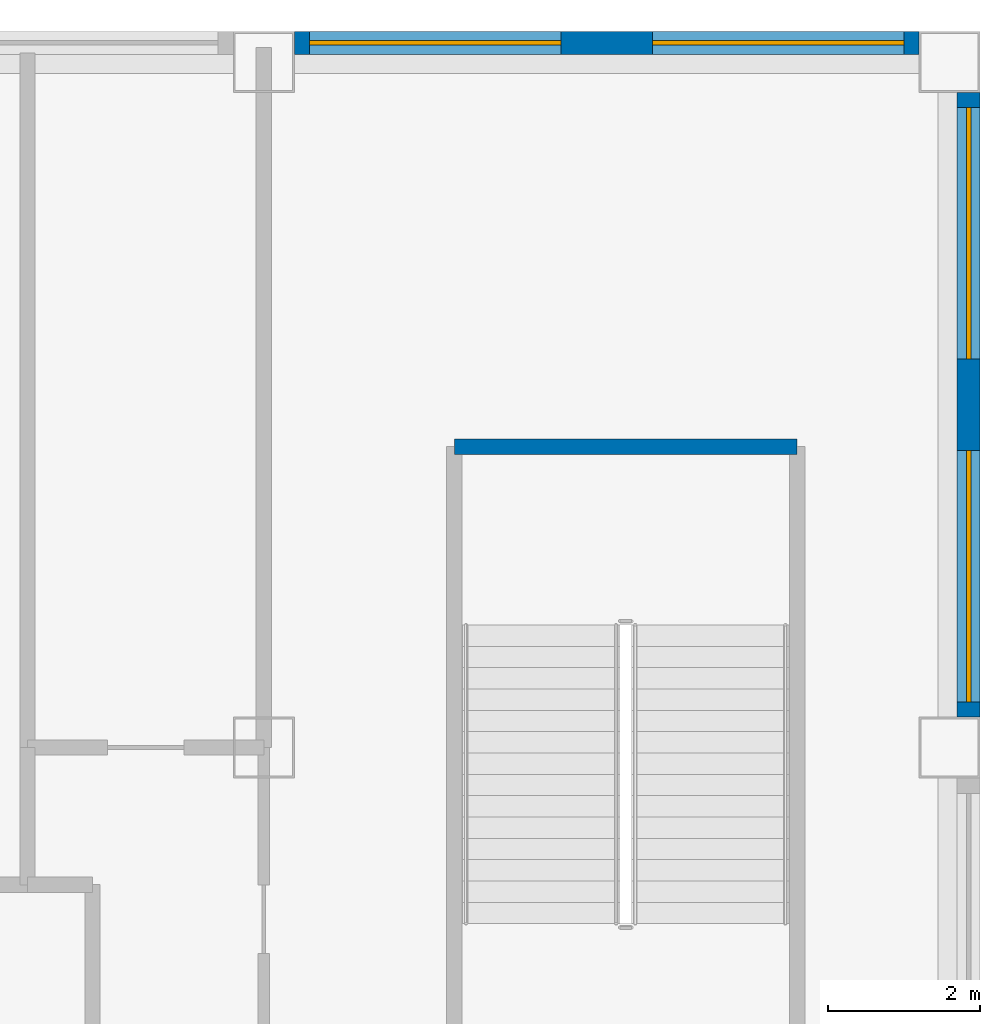
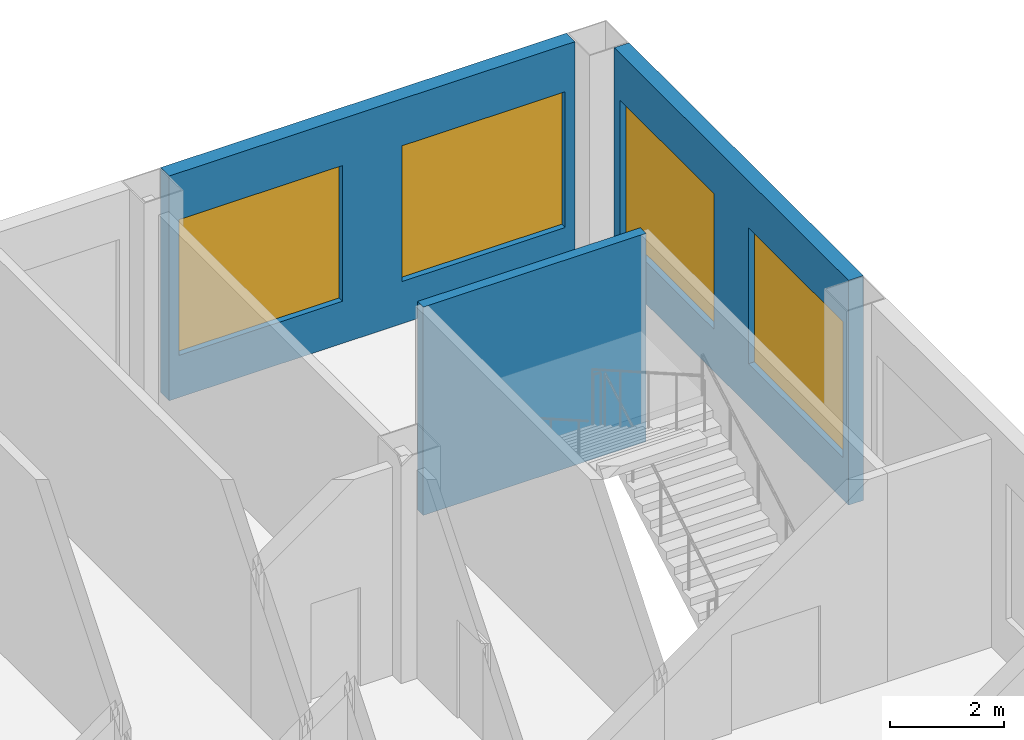
# One storey, part 9 of 23: 4 windows, 3 walls, 4 openings.
"""IFC4 building model written with IfcOpenShell, lengths in metres."""

from ifc_helpers import new_model, si_unit, direction, frame, frame_2d, origin, place, context, subcontext, project, spatial, rectangle, extrude, material, layer, layer_set, type_object, element, fill, save


model = new_model("IFC4")

# Units and contexts
model_context = context("Model", 3, precision=1e-05, world=origin(), true_north=direction((0.0, 1.0)))
body_context = subcontext(model_context, "Body", "Model", "MODEL_VIEW")
ifc_project = project(units=[si_unit("LENGTHUNIT", "METRE"), si_unit("AREAUNIT", "SQUARE_METRE"), si_unit("VOLUMEUNIT", "CUBIC_METRE"), si_unit("PLANEANGLEUNIT", "RADIAN"), si_unit("MASSUNIT", "GRAM", prefix="KILO")], contexts=[model_context])

# Site, building, storey
site_placement = place(None, origin())
site = spatial("IfcSite", under=ifc_project, at=site_placement, CompositionType="ELEMENT")
building_placement = place(site_placement, origin())
building = spatial("IfcBuilding", under=site, at=building_placement, Name="Caravel Reach Hotel and Residences", CompositionType="ELEMENT")
storey_placement = place(building_placement, frame((0.0, 0.0, 24.0)))
storey = spatial("IfcBuildingStorey", under=building, at=storey_placement, Name="L04", CompositionType="ELEMENT", Elevation=24.0)

# Wall, openings, windows
ifc_material_1 = material(Name="Insulated wall, stone cladding", Category="masonry")
ifc_layer_1 = layer(ifc_material_1, 0.300048828125)
ifc_layer_set_1 = layer_set([ifc_layer_1], Name="EW2 Podium stone-clad wall")
wall_type_1 = type_object("IfcWallType", Name="EW2 Podium stone-clad wall", PredefinedType="SOLIDWALL", material=ifc_layer_set_1)
wall_1_placement = place(storey_placement, frame((67.75, 45.39990234375, 0.0), z_axis=(0.0, 0.0, 1.0), x_axis=(0.0, 1.0, 0.0)))
wall_1 = element("IfcWall", 1, at=wall_1_placement, inside=storey, type_object=wall_type_1, Name="External wall L04 E1.6", PredefinedType="SOLIDWALL", context=body_context, shape_type="SweptSolid", body=[
    extrude(rectangle(XDim=8.2001953125, YDim=0.300048828125, at=frame_2d((4.10009765625, 0.0))), origin(), (0.0, 0.0, 1.0), 4.800048828125),
])
opening_1_placement = place(wall_1_placement, frame((0.199951171875, 0.0, 0.89990234375)))
opening_1 = element("IfcOpeningElement", 2, at=opening_1_placement, cuts=wall_1, Name="Opening WN32", PredefinedType="OPENING", context=body_context, shape_type="SweptSolid", body=[
    extrude(rectangle(XDim=3.300048828125, YDim=2.89990234375, at=frame_2d((1.64990234375, 1.449951171875))), frame((0.0, 0.159912109375, 0.0), z_axis=(0.0, -1.0, 0.0), x_axis=(1.0, 0.0, 0.0)), (0.0, 0.0, 1.0), 0.320068359375),
])
opening_2_placement = place(wall_1_placement, frame((4.699951171875, 0.0, 0.89990234375)))
opening_2 = element("IfcOpeningElement", 3, at=opening_2_placement, cuts=wall_1, Name="Opening WN32", PredefinedType="OPENING", context=body_context, shape_type="SweptSolid", body=[
    extrude(rectangle(XDim=3.300048828125, YDim=2.89990234375, at=frame_2d((1.64990234375, 1.449951171875))), frame((0.0, 0.159912109375, 0.0), z_axis=(0.0, -1.0, 0.0), x_axis=(1.0, 0.0, 0.0)), (0.0, 0.0, 1.0), 0.320068359375),
])
ifc_material_2 = material(Name="Dark low-e glazing in black aluminium frame", Category="aluminium")
window_type = type_object("IfcWindowType", Name="Podium window 3300 x 2900", PartitioningType="SINGLE_PANEL", PredefinedType="WINDOW", material=ifc_material_2)
window_1_placement = place(opening_1_placement, origin())
window_1 = element("IfcWindow", 4, at=window_1_placement, inside=storey, type_object=window_type, Name="Window L04 E1.6.1", OverallHeight=2.89990234375, OverallWidth=3.300048828125, PartitioningType="SINGLE_PANEL", PredefinedType="WINDOW", context=body_context, shape_type="SweptSolid", body=[
    extrude(rectangle(XDim=3.300048828125, YDim=2.89990234375, at=frame_2d((1.64990234375, 1.449951171875))), frame((0.0, 0.030029296875, 0.0), z_axis=(0.0, -1.0, 0.0), x_axis=(1.0, 0.0, 0.0)), (0.0, 0.0, 1.0), 0.06005859375),
])
fill(opening_1, window_1)
window_2_placement = place(opening_2_placement, origin())
window_2 = element("IfcWindow", 5, at=window_2_placement, inside=storey, type_object=window_type, Name="Window L04 E1.6.2", OverallHeight=2.89990234375, OverallWidth=3.300048828125, PartitioningType="SINGLE_PANEL", PredefinedType="WINDOW", context=body_context, shape_type="SweptSolid", body=[
    extrude(rectangle(XDim=3.300048828125, YDim=2.89990234375, at=frame_2d((1.64990234375, 1.449951171875))), frame((0.0, 0.030029296875, 0.0), z_axis=(0.0, -1.0, 0.0), x_axis=(1.0, 0.0, 0.0)), (0.0, 0.0, 1.0), 0.06005859375),
])
fill(opening_2, window_2)

wall_2_placement = place(storey_placement, frame((67.10009765625, 54.25, 0.0), z_axis=(0.0, 0.0, 1.0), x_axis=(-1.0, 0.0, 0.0)))
wall_2 = element("IfcWall", 6, at=wall_2_placement, inside=storey, type_object=wall_type_1, Name="External wall L04 N2.1", PredefinedType="SOLIDWALL", context=body_context, shape_type="SweptSolid", body=[
    extrude(rectangle(XDim=8.2001953125, YDim=0.300048828125, at=frame_2d((4.10009765625, 0.0))), origin(), (0.0, 0.0, 1.0), 4.800048828125),
])
opening_3_placement = place(wall_2_placement, frame((0.199951171875, 0.0, 0.89990234375)))
opening_3 = element("IfcOpeningElement", 7, at=opening_3_placement, cuts=wall_2, Name="Opening WN32", PredefinedType="OPENING", context=body_context, shape_type="SweptSolid", body=[
    extrude(rectangle(XDim=3.300048828125, YDim=2.89990234375, at=frame_2d((1.64990234375, 1.449951171875))), frame((0.0, 0.159912109375, 0.0), z_axis=(0.0, -1.0, 0.0), x_axis=(1.0, 0.0, 0.0)), (0.0, 0.0, 1.0), 0.320068359375),
])
opening_4_placement = place(wall_2_placement, frame((4.699951171875, 0.0, 0.89990234375)))
opening_4 = element("IfcOpeningElement", 8, at=opening_4_placement, cuts=wall_2, Name="Opening WN32", PredefinedType="OPENING", context=body_context, shape_type="SweptSolid", body=[
    extrude(rectangle(XDim=3.300048828125, YDim=2.89990234375, at=frame_2d((1.64990234375, 1.449951171875))), frame((0.0, 0.159912109375, 0.0), z_axis=(0.0, -1.0, 0.0), x_axis=(1.0, 0.0, 0.0)), (0.0, 0.0, 1.0), 0.320068359375),
])
window_3_placement = place(opening_3_placement, origin())
window_3 = element("IfcWindow", 9, at=window_3_placement, inside=storey, type_object=window_type, Name="Window L04 N2.1.1", OverallHeight=2.89990234375, OverallWidth=3.300048828125, PartitioningType="SINGLE_PANEL", PredefinedType="WINDOW", context=body_context, shape_type="SweptSolid", body=[
    extrude(rectangle(XDim=3.300048828125, YDim=2.89990234375, at=frame_2d((1.64990234375, 1.449951171875))), frame((0.0, 0.030029296875, 0.0), z_axis=(0.0, -1.0, 0.0), x_axis=(1.0, 0.0, 0.0)), (0.0, 0.0, 1.0), 0.06005859375),
])
fill(opening_3, window_3)
window_4_placement = place(opening_4_placement, origin())
window_4 = element("IfcWindow", 10, at=window_4_placement, inside=storey, type_object=window_type, Name="Window L04 N2.1.2", OverallHeight=2.89990234375, OverallWidth=3.300048828125, PartitioningType="SINGLE_PANEL", PredefinedType="WINDOW", context=body_context, shape_type="SweptSolid", body=[
    extrude(rectangle(XDim=3.300048828125, YDim=2.89990234375, at=frame_2d((1.64990234375, 1.449951171875))), frame((0.0, 0.030029296875, 0.0), z_axis=(0.0, -1.0, 0.0), x_axis=(1.0, 0.0, 0.0)), (0.0, 0.0, 1.0), 0.06005859375),
])
fill(opening_4, window_4)

# Wall
ifc_material_3 = material(Name="Concrete C60", Category="concrete")
ifc_layer_2 = layer(ifc_material_3, 0.199951171875)
ifc_layer_set_2 = layer_set([ifc_layer_2], Name="Stair enclosure wall 200 mm EI 120")
wall_type_2 = type_object("IfcWallType", Name="Stair enclosure wall 200 mm EI 120", PredefinedType="SHEAR", material=ifc_layer_set_2)
wall_3_placement = place(storey_placement, frame((61.0, 48.949951171875, 0.0), z_axis=(0.0, 0.0, 1.0), x_axis=(1.0, 0.0, 0.0)))
element("IfcWall", 11, at=wall_3_placement, inside=storey, type_object=wall_type_2, Name="L04 wall w151", PredefinedType="SHEAR", context=body_context, shape_type="SweptSolid", body=[
    extrude(rectangle(XDim=4.5, YDim=0.199951171875, at=frame_2d((2.25, 0.0))), origin(), (0.0, 0.0, 1.0), 4.449951171875),
])

save(model, "model.ifc")
